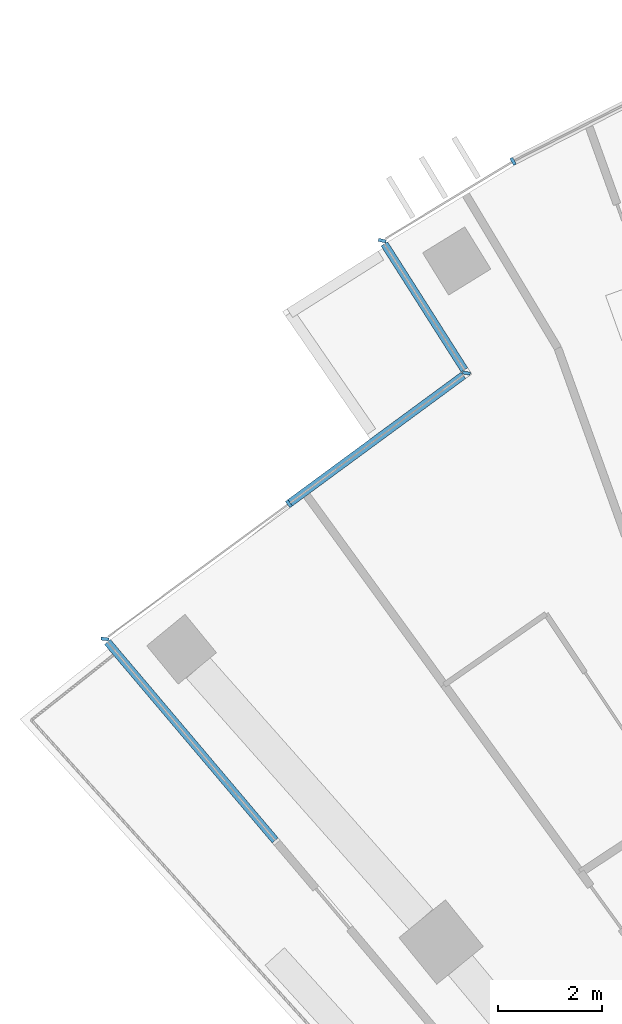
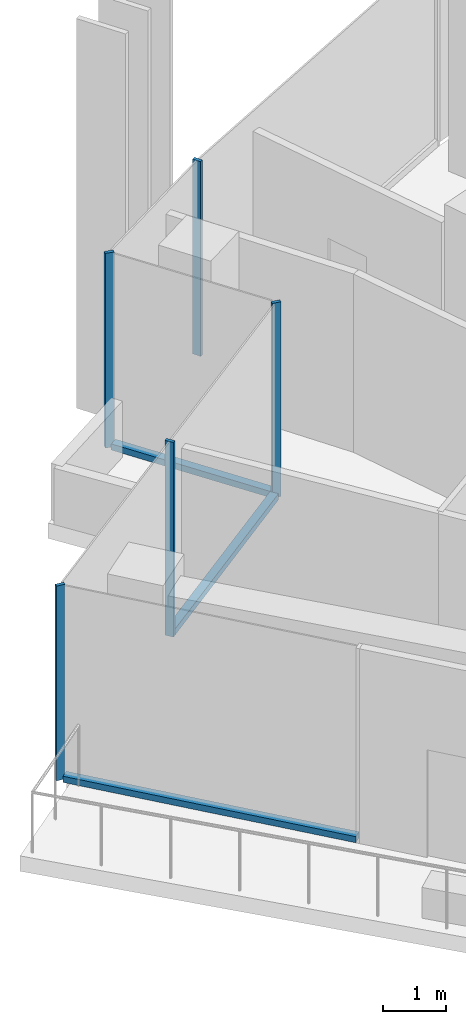
# One storey, part 3 of 18: 8 members, 4 elements without a shape of their own.
"""IFC4 building model written with IfcOpenShell, lengths in metres."""

from ifc_helpers import new_model, si_unit, direction, frame, origin, origin_2d, place, context, subcontext, project, spatial, rectangle, extrude, material, layer, layer_set, material_profile, profile_set, type_object, element, aggregate, save


model = new_model("IFC4")

# Units and contexts
model_context = context("Model", 3, precision=1e-05, world=origin(), true_north=direction((0.0, 1.0)))
body_context = subcontext(model_context, "Body", "Model", "MODEL_VIEW")
ifc_project = project(units=[si_unit("LENGTHUNIT", "METRE"), si_unit("AREAUNIT", "SQUARE_METRE"), si_unit("VOLUMEUNIT", "CUBIC_METRE"), si_unit("PLANEANGLEUNIT", "RADIAN"), si_unit("MASSUNIT", "GRAM", prefix="KILO")], contexts=[model_context])

# Site, building, storey
site_placement = place(None, origin())
site = spatial("IfcSite", under=ifc_project, at=site_placement, CompositionType="ELEMENT")
building_placement = place(site_placement, origin())
building = spatial("IfcBuilding", under=site, at=building_placement, Name="Stone Belt Terrace Tower", CompositionType="ELEMENT")
storey_placement = place(building_placement, frame((0.0, 0.0, 239.0)))
storey = spatial("IfcBuildingStorey", under=building, at=storey_placement, Name="L58", CompositionType="ELEMENT", Elevation=239.0)

# Curtain wall, member
ifc_material = material(Name="Aluminium 6063-T6 anodised frame", Category="aluminium")
ifc_layer_1 = layer(ifc_material, 0.14990234375)
ifc_layer_set_1 = layer_set([ifc_layer_1], Name="CW-A unitised convex-face curtain wall")
curtain_wall_type_1 = type_object("IfcCurtainWallType", Name="CW-A unitised convex-face curtain wall", PredefinedType="NOTDEFINED", material=ifc_layer_set_1)
curtain_wall_1_placement = place(storey_placement, origin())
curtain_wall_1 = element("IfcCurtainWall", 1, at=curtain_wall_1_placement, inside=storey, type_object=curtain_wall_type_1, Name="CW-A convex face L58", PredefinedType="NOTDEFINED")
ifc_material_profile_1 = material_profile(ifc_material, rectangle(XDim=0.14990234375, YDim=0.06005859375, at=origin_2d()), Name="Aluminium 6063-T6 60x150")
ifc_profile_set_1 = profile_set([ifc_material_profile_1], Name="Aluminium 6063-T6 anodised frame")
member_type_1 = type_object("IfcMemberType", Name="CW-A mullion 60 x 150", PredefinedType="MULLION", material=ifc_profile_set_1)
member_1_placement = place(storey_placement, frame((-33.28662109375, 57.65625, 0.0), z_axis=(0.0, 0.0, 1.0), x_axis=(0.486552313968, -0.873651444097, 0.0)))
member_1 = element("IfcMember", 2, at=member_1_placement, type_object=member_type_1, Name="CW-A mullion 14", PredefinedType="MULLION", context=body_context, shape_type="SweptSolid", body=[
    extrude(rectangle(XDim=0.14990234375, YDim=0.06005859375, at=origin_2d()), origin(), (0.0, 0.0, 1.0), 3.800048828125),
])
aggregate(curtain_wall_1, [member_1])

ifc_layer_2 = layer(ifc_material, 0.14990234375)
ifc_layer_set_2 = layer_set([ifc_layer_2], Name="CW-C stick curtain wall, horn ends and notches")
curtain_wall_type_2 = type_object("IfcCurtainWallType", Name="CW-C stick curtain wall, horn ends and notches", PredefinedType="NOTDEFINED", material=ifc_layer_set_2)
curtain_wall_2_placement = place(storey_placement, origin())
curtain_wall_2 = element("IfcCurtainWall", 3, at=curtain_wall_2_placement, inside=storey, type_object=curtain_wall_type_2, Name="CW-C notch face L58", PredefinedType="NOTDEFINED")
ifc_material_profile_2 = material_profile(ifc_material, rectangle(XDim=0.14990234375, YDim=0.06005859375, at=origin_2d()), Name="Aluminium 6063-T6 60x150")
ifc_profile_set_2 = profile_set([ifc_material_profile_2], Name="Aluminium 6063-T6 anodised frame")
member_type_2 = type_object("IfcMemberType", Name="CW-C mullion 60 x 150", PredefinedType="MULLION", material=ifc_profile_set_2)
member_2_placement = place(storey_placement, frame((-35.792724609375, 56.13671875, 0.0), z_axis=(0.0, 0.0, 1.0), x_axis=(0.973748724197, -0.227625618341, 0.0)))
member_2 = element("IfcMember", 4, at=member_2_placement, type_object=member_type_2, Name="CW-C mullion 1", PredefinedType="MULLION", context=body_context, shape_type="SweptSolid", body=[
    extrude(rectangle(XDim=0.14990234375, YDim=0.06005859375, at=origin_2d()), origin(), (0.0, 0.0, 1.0), 3.800048828125),
])

# Curtain wall, members
curtain_wall_3_placement = place(storey_placement, origin())
curtain_wall_3 = element("IfcCurtainWall", 5, at=curtain_wall_3_placement, inside=storey, type_object=curtain_wall_type_2, Name="CW-C notch face L58", PredefinedType="NOTDEFINED")
member_3_placement = place(storey_placement, frame((-34.17919921875, 53.599853515625, 0.0), z_axis=(0.0, 0.0, 1.0), x_axis=(0.98292084332, -0.184028844934, 0.0)))
member_3 = element("IfcMember", 6, at=member_3_placement, type_object=member_type_2, Name="CW-C mullion 1", PredefinedType="MULLION", context=body_context, shape_type="SweptSolid", body=[
    extrude(rectangle(XDim=0.14990234375, YDim=0.06005859375, at=origin_2d()), origin(), (0.0, 0.0, 1.0), 3.800048828125),
])
member_4_placement = place(storey_placement, frame((-37.58154296875, 51.097412109375, 0.0), z_axis=(0.0, 0.0, 1.0), x_axis=(0.592492190799, -0.805576193691, 0.0)))
member_4 = element("IfcMember", 7, at=member_4_placement, type_object=member_type_2, Name="CW-C mullion 2", PredefinedType="MULLION", context=body_context, shape_type="SweptSolid", body=[
    extrude(rectangle(XDim=0.14990234375, YDim=0.06005859375, at=origin_2d()), origin(), (0.0, 0.0, 1.0), 3.800048828125),
])

# Curtain wall, member
curtain_wall_4_placement = place(storey_placement, origin())
curtain_wall_4 = element("IfcCurtainWall", 8, at=curtain_wall_4_placement, inside=storey, type_object=curtain_wall_type_2, Name="CW-C end face L58", PredefinedType="NOTDEFINED")
member_5_placement = place(storey_placement, frame((-41.105224609375, 48.505859375, 0.0), z_axis=(0.0, 0.0, 1.0), x_axis=(0.993114825084, -0.117144970865, 0.0)))
member_5 = element("IfcMember", 9, at=member_5_placement, type_object=member_type_2, Name="CW-C mullion 1", PredefinedType="MULLION", context=body_context, shape_type="SweptSolid", body=[
    extrude(rectangle(XDim=0.14990234375, YDim=0.06005859375, at=origin_2d()), origin(), (0.0, 0.0, 1.0), 3.800048828125),
])

# Member
ifc_material_profile_3 = material_profile(ifc_material, rectangle(XDim=0.14990234375, YDim=0.1201171875, at=origin_2d()), Name="Aluminium 6063-T6 150x120")
ifc_profile_set_3 = profile_set([ifc_material_profile_3], Name="Aluminium 6063-T6 anodised frame")
member_type_3 = type_object("IfcMemberType", Name="CW-C transom 120 x 150", PredefinedType="USERDEFINED", material=ifc_profile_set_3)
member_6_placement = place(storey_placement, frame((-35.752685546875, 56.073974609375, 0.06005859375), z_axis=(0.536698665455, -0.843773987806, 0.0), x_axis=(0.843773987806, 0.536698665455, 0.0)))
member_6 = element("IfcMember", 10, at=member_6_placement, type_object=member_type_3, Name="CW-C transom 1.1", ObjectType="TRANSOM", PredefinedType="USERDEFINED", context=body_context, shape_type="SweptSolid", body=[
    extrude(rectangle(XDim=0.14990234375, YDim=0.1201171875, at=origin_2d()), origin(), (0.0, 0.0, 1.0), 2.85888671875),
])

aggregate(curtain_wall_2, [member_2, member_6])

member_7_placement = place(storey_placement, frame((-34.238037109375, 53.556640625, 0.06005859375), z_axis=(-0.805567834642, -0.59250355593, 0.0), x_axis=(0.59250355593, -0.805567834642, 0.0)))
member_7 = element("IfcMember", 11, at=member_7_placement, type_object=member_type_3, Name="CW-C transom 1.1", ObjectType="TRANSOM", PredefinedType="USERDEFINED", context=body_context, shape_type="SweptSolid", body=[
    extrude(rectangle(XDim=0.14990234375, YDim=0.1201171875, at=origin_2d()), origin(), (0.0, 0.0, 1.0), 4.12060546875),
])

aggregate(curtain_wall_3, [member_3, member_4, member_7])

member_8_placement = place(storey_placement, frame((-41.056640625, 48.448486328125, 0.06005859375), z_axis=(0.64560340546, -0.76367286377, 0.0), x_axis=(0.76367286377, 0.64560340546, 0.0)))
member_8 = element("IfcMember", 12, at=member_8_placement, type_object=member_type_3, Name="CW-C transom 1.1", ObjectType="TRANSOM", PredefinedType="USERDEFINED", context=body_context, shape_type="SweptSolid", body=[
    extrude(rectangle(XDim=0.14990234375, YDim=0.1201171875, at=origin_2d()), origin(), (0.0, 0.0, 1.0), 4.97509765625),
])

aggregate(curtain_wall_4, [member_5, member_8])

save(model, "model.ifc")
